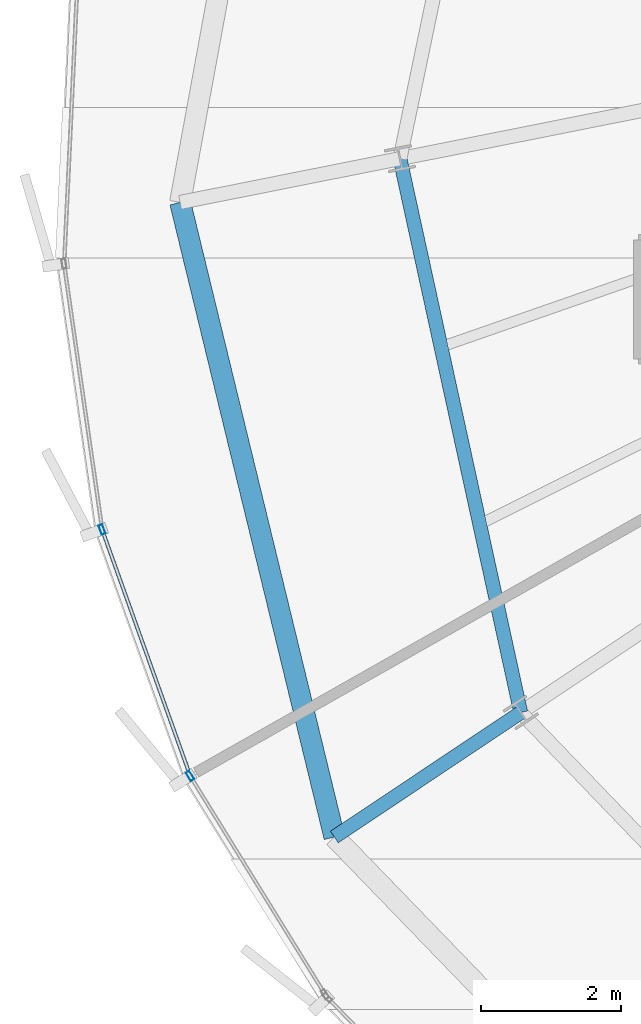
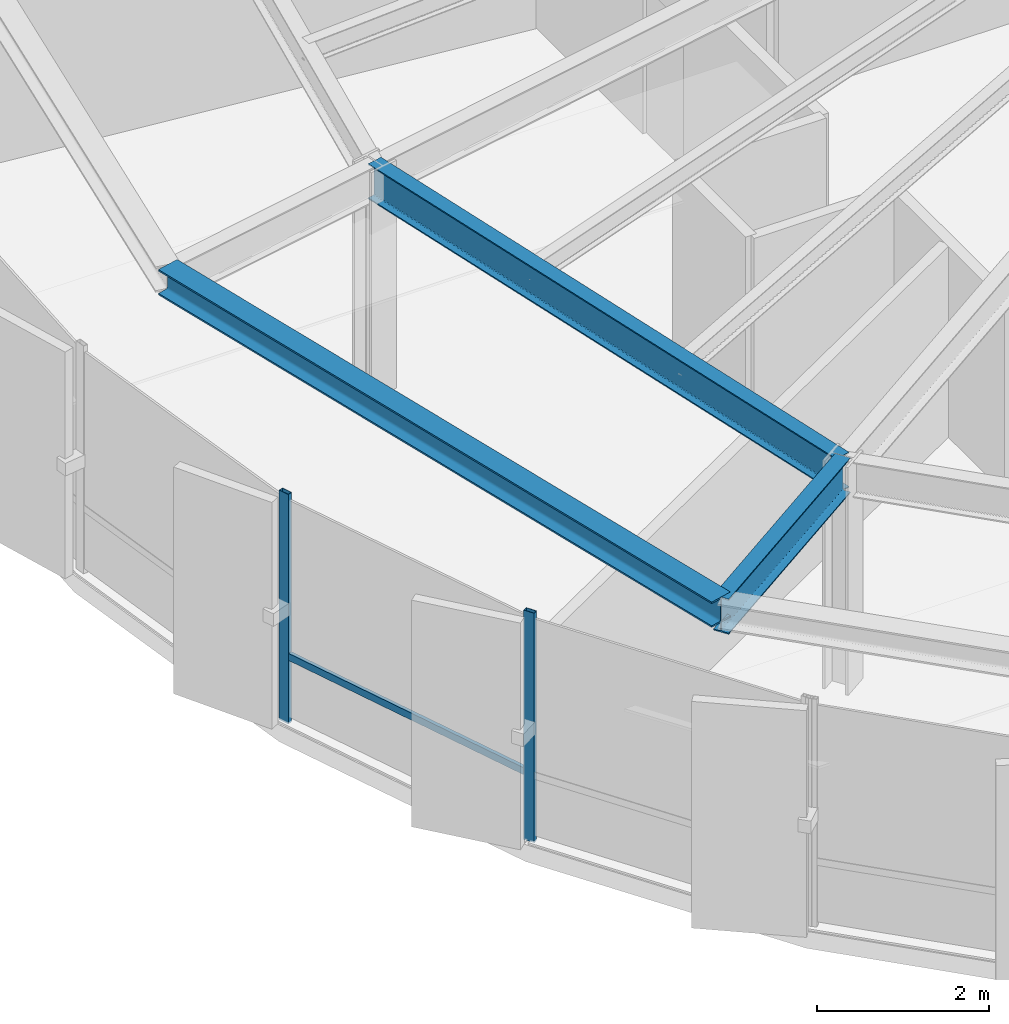
# One storey, part 4 of 34: 3 beams, 3 members, 1 element without a shape of its own.
"""IFC4 building model written with IfcOpenShell, lengths in metres."""

from ifc_helpers import new_model, si_unit, direction, frame, origin, origin_2d, place, context, subcontext, project, spatial, hollow_rectangle, i_section, extrude, source, transform, mapped, material, layer, layer_set, material_profile, profile_set, type_object, element, aggregate, save


model = new_model("IFC4")

# Units and contexts
model_context = context("Model", 3, precision=1e-05, world=origin(), true_north=direction((0.0, 1.0)))
body_context = subcontext(model_context, "Body", "Model", "MODEL_VIEW")
ifc_project = project(units=[si_unit("LENGTHUNIT", "METRE"), si_unit("AREAUNIT", "SQUARE_METRE"), si_unit("VOLUMEUNIT", "CUBIC_METRE"), si_unit("PLANEANGLEUNIT", "RADIAN"), si_unit("MASSUNIT", "GRAM", prefix="KILO"), si_unit("THERMODYNAMICTEMPERATUREUNIT", "KELVIN")], contexts=[model_context])

# Site, building, storey
site_placement = place(None, origin())
site = spatial("IfcSite", under=ifc_project, at=site_placement, CompositionType="ELEMENT")
building_placement = place(site_placement, origin())
building = spatial("IfcBuilding", under=site, at=building_placement, Name="Kethvar Cultural Tower", CompositionType="ELEMENT")
storey_placement = place(building_placement, frame((0.0, 0.0, 186.89990234375)))
storey = spatial("IfcBuildingStorey", under=building, at=storey_placement, Name="L48", CompositionType="ELEMENT", Elevation=186.89990234375)

# Beams
ifc_material_1 = material(Name="Steel S355J2", Category="steel")
ifc_material_profile_1 = material_profile(ifc_material_1, i_section(OverallWidth=0.199951171875, OverallDepth=0.5, WebThickness=0.01025390625, FlangeThickness=0.01611328125, FilletRadius=0.02099609375, at=origin_2d()), Name="Steel S355J2 — IPE500")
ifc_profile_set_1 = profile_set([ifc_material_profile_1], Name="Steel S355J2 — IPE500")
beam_type_1 = type_object("IfcBeamType", Name="BM-IPE500", PredefinedType="BEAM", material=ifc_profile_set_1)
shared_shape_1 = source(origin(), body_context, "Body", "SweptSolid", [
    extrude(i_section(OverallWidth=0.199951171875, OverallDepth=0.5, WebThickness=0.01025390625, FlangeThickness=0.01611328125, FilletRadius=0.02099609375, at=origin_2d()), origin(), (0.0, 0.0, 1.0), 3.199951171875),
])
beam_1_placement = place(storey_placement, frame((29.217529296875, 16.0517578125, 3.008056640625), z_axis=(-0.831462943996, -0.555580212716, 0.0), x_axis=(0.555580212716, -0.831462943996, 0.0)))
element("IfcBeam", 1, at=beam_1_placement, inside=storey, type_object=beam_type_1, Name="L48 Perimeter Cantilever Beam RC-10", PredefinedType="BEAM", context=body_context, shape_type="MappedRepresentation", body=[
    mapped(shared_shape_1, transform((0.0, 0.0, 0.0), scale=1.0)),
])
shared_shape_2 = source(origin(), body_context, "Body", "SweptSolid", [
    extrude(i_section(OverallWidth=0.199951171875, OverallDepth=0.5, WebThickness=0.01025390625, FlangeThickness=0.01611328125, FilletRadius=0.02099609375, at=origin_2d()), origin(), (0.0, 0.0, 1.0), 8.09375),
])
beam_2_placement = place(storey_placement, frame((27.492919921875, 23.959716796875, 3.008056640625), z_axis=(0.213077030298, -0.977035403227, 0.0), x_axis=(0.977035403227, 0.213077030298, 0.0)))
element("IfcBeam", 2, at=beam_2_placement, inside=storey, type_object=beam_type_1, Name="L48 Column Ring Tie Beam CR-09", PredefinedType="BEAM", context=body_context, shape_type="MappedRepresentation", body=[
    mapped(shared_shape_2, transform((0.0, 0.0, 0.0), scale=1.0)),
])
ifc_material_profile_2 = material_profile(ifc_material_1, i_section(OverallWidth=0.300048828125, OverallDepth=0.360107421875, WebThickness=0.012451171875, FlangeThickness=0.0224609375, FilletRadius=0.027099609375, at=origin_2d()), Name="Steel S355J2 — HEB360")
ifc_profile_set_2 = profile_set([ifc_material_profile_2], Name="Steel S355J2 — HEB360")
beam_type_2 = type_object("IfcBeamType", Name="BM-SP360", PredefinedType="SPANDREL", material=ifc_profile_set_2)
shared_shape_3 = source(origin(), body_context, "Body", "SweptSolid", [
    extrude(i_section(OverallWidth=0.300048828125, OverallDepth=0.360107421875, WebThickness=0.012451171875, FlangeThickness=0.0224609375, FilletRadius=0.027099609375, at=origin_2d()), origin(), (0.0, 0.0, 1.0), 9.3251953125),
])
beam_3_placement = place(storey_placement, frame((24.3544921875, 23.335205078125, 3.078125), z_axis=(0.236179213868, -0.97170951366, 0.0), x_axis=(0.97170951366, 0.236179213868, 0.0)))
element("IfcBeam", 3, at=beam_3_placement, inside=storey, type_object=beam_type_2, Name="L48 Perimeter Spandrel Beam SP-09", PredefinedType="SPANDREL", context=body_context, shape_type="MappedRepresentation", body=[
    mapped(shared_shape_3, transform((0.0, 0.0, 0.0), scale=1.0)),
])

# Curtain wall, members
ifc_material_2 = material(Name="Aluminium 6063-T6", Category="aluminium")
ifc_layer = layer(ifc_material_2, 0.179931640625, Name="Aluminium 6063-T6", Category="aluminium")
ifc_layer_set = layer_set([ifc_layer], Name="Aluminium 6063-T6 (180 mm)")
curtain_wall_type = type_object("IfcCurtainWallType", Name="CW-SYS-04-Z34", PredefinedType="NOTDEFINED", material=ifc_layer_set)
curtain_wall_placement = place(storey_placement, origin())
curtain_wall = element("IfcCurtainWall", 4, at=curtain_wall_placement, inside=storey, type_object=curtain_wall_type, Name="L48 Curtain Wall Run 03", PredefinedType="NOTDEFINED")
ifc_material_profile_3 = material_profile(ifc_material_2, hollow_rectangle(XDim=0.06005859375, YDim=0.139892578125, WallThickness=0.0048828125, at=origin_2d()), Name="Aluminium 6063-T6 — RHS140x60x5")
ifc_profile_set_3 = profile_set([ifc_material_profile_3], Name="Aluminium 6063-T6 — RHS140x60x5")
member_type_1 = type_object("IfcMemberType", Name="CW-SYS-04-Z34-MUL", PredefinedType="MULLION", material=ifc_profile_set_3)
shared_shape_4 = source(origin(), body_context, "Body", "SweptSolid", [
    extrude(hollow_rectangle(XDim=0.06005859375, YDim=0.139892578125, WallThickness=0.0048828125, at=origin_2d()), origin(), (0.0, 0.0, 1.0), 3.260009765625),
])
member_1_placement = place(storey_placement, frame((23.239501953125, 18.6650390625, 0.0), z_axis=(0.0, 0.0, 1.0), x_axis=(0.941470544812, 0.337095258423, 0.0)))
member_1 = element("IfcMember", 5, at=member_1_placement, type_object=member_type_1, Name="CW-L48-R03 Mullion 5", PredefinedType="MULLION", context=body_context, shape_type="MappedRepresentation", body=[
    mapped(shared_shape_4, transform((0.0, 0.0, 0.0), scale=1.0)),
])
member_2_placement = place(storey_placement, frame((24.49658203125, 15.1474609375, 0.0), z_axis=(0.0, 0.0, 1.0), x_axis=(0.850746904601, 0.525575593337, 0.0)))
member_2 = element("IfcMember", 6, at=member_2_placement, type_object=member_type_1, Name="CW-L48-R03 Mullion 6", PredefinedType="MULLION", context=body_context, shape_type="MappedRepresentation", body=[
    mapped(shared_shape_4, transform((0.0, 0.0, 0.0), scale=1.0)),
])
ifc_material_profile_4 = material_profile(ifc_material_2, hollow_rectangle(XDim=0.050048828125, YDim=0.10009765625, WallThickness=0.00390625, at=origin_2d()), Name="Aluminium 6063-T6 — RHS100x50x4")
ifc_profile_set_4 = profile_set([ifc_material_profile_4], Name="Aluminium 6063-T6 — RHS100x50x4")
member_type_2 = type_object("IfcMemberType", Name="CW-SYS-04-Z34-TRN", PredefinedType="USERDEFINED", material=ifc_profile_set_4)
shared_shape_5 = source(origin(), body_context, "Body", "SweptSolid", [
    extrude(hollow_rectangle(XDim=0.050048828125, YDim=0.10009765625, WallThickness=0.00390625, at=origin_2d()), origin(), (0.0, 0.0, 1.0), 3.671630859375),
])
member_3_placement = place(storey_placement, frame((23.254150390625, 18.624267578125, 0.9501953125), z_axis=(0.337115534521, -0.941463284672, 0.0), x_axis=(0.941463284672, 0.337115534521, 0.0)))
member_3 = element("IfcMember", 7, at=member_3_placement, type_object=member_type_2, Name="CW-L48-R03 Transom 5", ObjectType="TRANSOM", PredefinedType="USERDEFINED", context=body_context, shape_type="MappedRepresentation", body=[
    mapped(shared_shape_5, transform((0.0, 0.0, 0.0), scale=1.0)),
])
aggregate(curtain_wall, [member_1, member_2, member_3])

save(model, "model.ifc")
